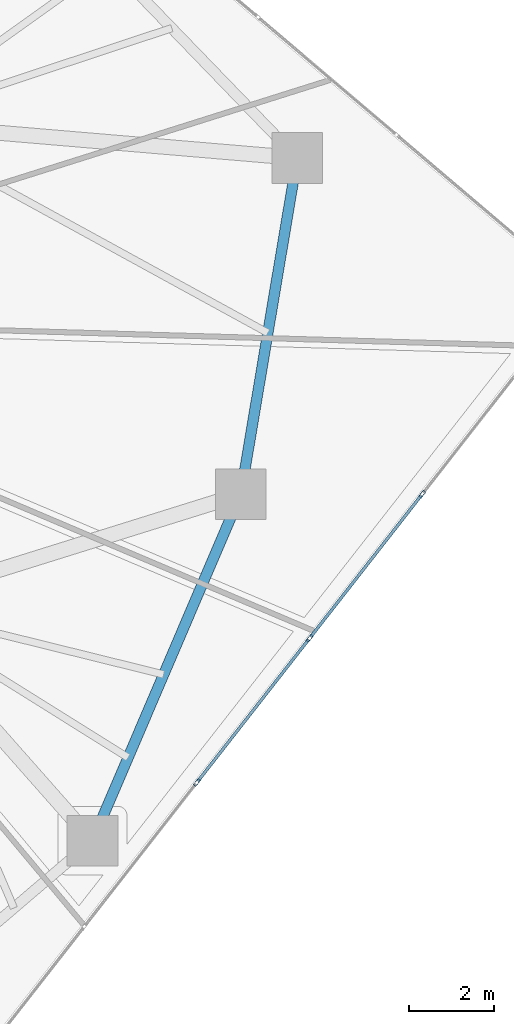
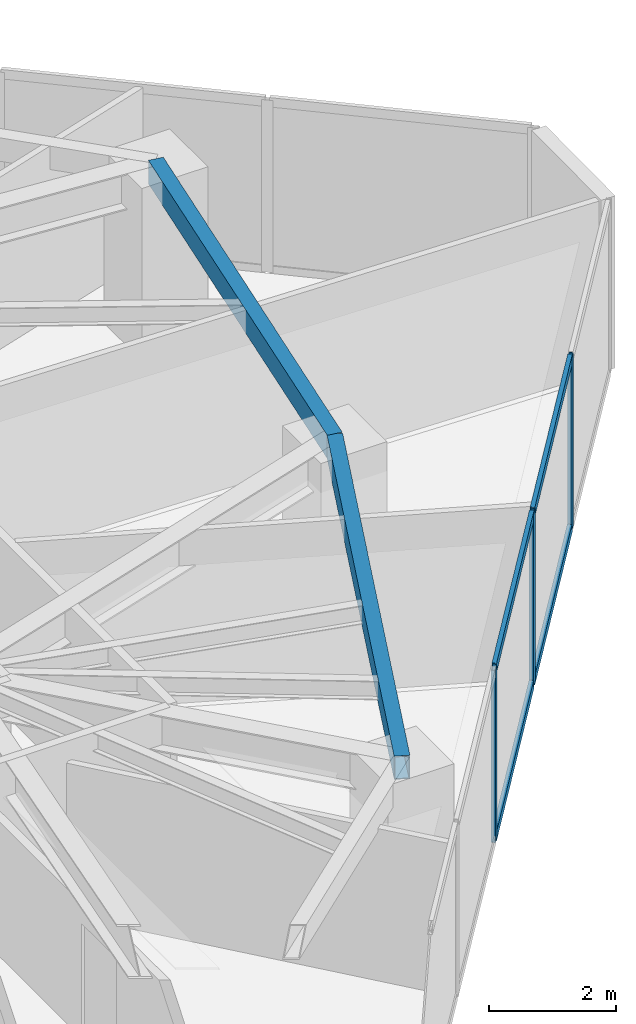
# One storey, part 12 of 24: 7 members, 2 beams, 1 element without a shape of its own.
"""IFC4 building model written with IfcOpenShell, lengths in metres."""

from ifc_helpers import new_model, si_unit, direction, frame, origin, origin_2d, place, context, subcontext, project, spatial, hollow_rectangle, extrude, source, transform, mapped, material, layer, layer_set, material_profile, profile_set, type_object, type_shapes, element, aggregate, save


model = new_model("IFC4")

# Units and contexts
model_context = context("Model", 3, precision=1e-05, world=origin(), true_north=direction((0.0, 1.0)))
body_context = subcontext(model_context, "Body", "Model", "MODEL_VIEW")
ifc_project = project(units=[si_unit("LENGTHUNIT", "METRE"), si_unit("AREAUNIT", "SQUARE_METRE"), si_unit("VOLUMEUNIT", "CUBIC_METRE"), si_unit("PLANEANGLEUNIT", "RADIAN"), si_unit("MASSUNIT", "GRAM", prefix="KILO")], contexts=[model_context])

# Site, building, storey
site_placement = place(None, origin())
site = spatial("IfcSite", under=ifc_project, at=site_placement, CompositionType="ELEMENT")
building_placement = place(site_placement, origin())
building = spatial("IfcBuilding", under=site, at=building_placement, Name="Talar Marvaseh", CompositionType="ELEMENT")
storey_placement = place(building_placement, frame((0.0, 0.0, 114.60009765625)))
storey = spatial("IfcBuildingStorey", under=building, at=storey_placement, Name="L29", CompositionType="ELEMENT", Elevation=114.60009765625)

# Beams
ifc_material_1 = material(Name="Steel S355", Category="steel")
ifc_material_profile_1 = material_profile(ifc_material_1, hollow_rectangle(XDim=0.25, YDim=0.449951171875, WallThickness=0.01611328125, at=origin_2d()), Name="RHS450x250x16")
ifc_profile_set_1 = profile_set([ifc_material_profile_1], Name="Steel S355")
beam_type = type_object("IfcBeamType", Name="Zone 2 Perimeter Spandrel Beam RHS450x250x16", PredefinedType="SPANDREL", material=ifc_profile_set_1)
beam_1_placement = place(storey_placement, frame((43.0439453125, 36.075927734375, 3.0849609375), z_axis=(-0.165641685249, -0.986186002795, 0.0), x_axis=(0.986186002795, -0.165641685249, 0.0)))
element("IfcBeam", 1, at=beam_1_placement, inside=storey, type_object=beam_type, Name="L29 Zone 2 Perimeter Spandrel Beam RHS450x250x16", PredefinedType="SPANDREL", context=body_context, shape_type="SweptSolid", body=[
    extrude(hollow_rectangle(XDim=0.25, YDim=0.449951171875, WallThickness=0.01611328125, at=origin_2d()), origin(), (0.0, 0.0, 1.0), 8.059326171875),
])
beam_2_placement = place(storey_placement, frame((41.708984375, 28.1279296875, 3.0849609375), z_axis=(-0.393369955619, -0.919380268451, 0.0), x_axis=(0.919380268451, -0.393369955619, 0.0)))
element("IfcBeam", 2, at=beam_2_placement, inside=storey, type_object=beam_type, Name="L29 Zone 2 Perimeter Spandrel Beam RHS450x250x16", PredefinedType="SPANDREL", context=body_context, shape_type="SweptSolid", body=[
    extrude(hollow_rectangle(XDim=0.25, YDim=0.449951171875, WallThickness=0.01611328125, at=origin_2d()), origin(), (0.0, 0.0, 1.0), 8.905029296875),
])

# Curtain wall, members
ifc_material_2 = material(Name="Architectural Aluminium", Category="aluminium")
ifc_layer = layer(ifc_material_2, 0.199951171875)
ifc_layer_set = layer_set([ifc_layer], Name="Architectural Aluminium")
curtain_wall_type = type_object("IfcCurtainWallType", Name="Unitised Acoustic Library Curtain Wall Z2", PredefinedType="NOTDEFINED", material=ifc_layer_set)
curtain_wall_placement = place(storey_placement, origin())
curtain_wall = element("IfcCurtainWall", 3, at=curtain_wall_placement, inside=storey, type_object=curtain_wall_type, Name="L29 Unitised Acoustic Library Curtain Wall Z2", PredefinedType="NOTDEFINED")
ifc_material_profile_2 = material_profile(ifc_material_2, hollow_rectangle(XDim=0.074951171875, YDim=0.179931640625, WallThickness=0.0048828125, at=origin_2d()), Name="RHS180x75x5")
ifc_profile_set_2 = profile_set([ifc_material_profile_2], Name="Architectural Aluminium")
member_type_1 = type_object("IfcMemberType", Name="Unitised Curtain Wall Transom RHS180x75x5", PredefinedType="USERDEFINED", material=ifc_profile_set_2)
shared_shape_1 = source(origin(), body_context, "Body", "SweptSolid", [
    extrude(hollow_rectangle(XDim=0.074951171875, YDim=0.179931640625, WallThickness=0.0048828125, at=origin_2d()), origin(), (0.0, 0.0, 1.0), 4.24853515625),
])
member_1_placement = place(storey_placement, frame((43.312744140625, 24.69775390625, 0.037353515625), z_axis=(-0.61579680622, -0.787905002807, 0.0), x_axis=(0.787905002807, -0.61579680622, 0.0)))
member_1 = element("IfcMember", 4, at=member_1_placement, type_object=member_type_1, Name="CW-Z2 transom 3.1", ObjectType="TRANSOM", PredefinedType="USERDEFINED", context=body_context, shape_type="MappedRepresentation", body=[
    mapped(shared_shape_1, transform((0.0, 0.0, 0.0), x_axis=(1.0, 0.0, 0.0), y_axis=(0.0, 1.0, 0.0), z_axis=(0.0, 0.0, 1.0), scale=1.0)),
])
member_2_placement = place(storey_placement, frame((43.312744140625, 24.69775390625, 3.2724609375), z_axis=(-0.61579680622, -0.787905002807, 0.0), x_axis=(0.787905002807, -0.61579680622, 0.0)))
member_2 = element("IfcMember", 5, at=member_2_placement, type_object=member_type_1, Name="CW-Z2 transom 3.2", ObjectType="TRANSOM", PredefinedType="USERDEFINED", context=body_context, shape_type="MappedRepresentation", body=[
    mapped(shared_shape_1, transform((0.0, 0.0, 0.0), x_axis=(1.0, 0.0, 0.0), y_axis=(0.0, 1.0, 0.0), z_axis=(0.0, 0.0, 1.0), scale=1.0)),
])
shared_shape_2 = source(origin(), body_context, "Body", "SweptSolid", [
    extrude(hollow_rectangle(XDim=0.074951171875, YDim=0.179931640625, WallThickness=0.0048828125, at=origin_2d()), origin(), (0.0, 0.0, 1.0), 4.248779296875),
])
type_shapes(member_type_1, [shared_shape_1, shared_shape_2])
member_3_placement = place(storey_placement, frame((45.97509765625, 28.1044921875, 0.037353515625), z_axis=(-0.615768925605, -0.78792679245, 0.0), x_axis=(0.78792679245, -0.615768925605, 0.0)))
member_3 = element("IfcMember", 6, at=member_3_placement, type_object=member_type_1, Name="CW-Z2 transom 2.1", ObjectType="TRANSOM", PredefinedType="USERDEFINED", context=body_context, shape_type="MappedRepresentation", body=[
    mapped(shared_shape_2, transform((0.0, 0.0, 0.0), x_axis=(1.0, 0.0, 0.0), y_axis=(0.0, 1.0, 0.0), z_axis=(0.0, 0.0, 1.0), scale=1.0)),
])
member_4_placement = place(storey_placement, frame((45.97509765625, 28.1044921875, 3.2724609375), z_axis=(-0.615768925605, -0.78792679245, 0.0), x_axis=(0.78792679245, -0.615768925605, 0.0)))
member_4 = element("IfcMember", 7, at=member_4_placement, type_object=member_type_1, Name="CW-Z2 transom 2.2", ObjectType="TRANSOM", PredefinedType="USERDEFINED", context=body_context, shape_type="MappedRepresentation", body=[
    mapped(shared_shape_2, transform((0.0, 0.0, 0.0), x_axis=(1.0, 0.0, 0.0), y_axis=(0.0, 1.0, 0.0), z_axis=(0.0, 0.0, 1.0), scale=1.0)),
])
ifc_material_profile_3 = material_profile(ifc_material_2, hollow_rectangle(XDim=0.074951171875, YDim=0.179931640625, WallThickness=0.0048828125, at=origin_2d()), Name="RHS180x75x5")
ifc_profile_set_3 = profile_set([ifc_material_profile_3], Name="Architectural Aluminium")
member_type_2 = type_object("IfcMemberType", Name="Unitised Curtain Wall Standard Mullion RHS180x75x5", PredefinedType="MULLION", material=ifc_profile_set_3)
shared_shape_3 = source(origin(), body_context, "Body", "SweptSolid", [
    extrude(hollow_rectangle(XDim=0.074951171875, YDim=0.179931640625, WallThickness=0.0048828125, at=origin_2d()), origin(), (0.0, 0.0, 1.0), 3.309814453125),
])
type_shapes(member_type_2, [shared_shape_3])
member_5_placement = place(storey_placement, frame((45.998291015625, 28.134033203125, 0.0), z_axis=(0.0, 0.0, 1.0), x_axis=(0.787915588134, -0.615783262175, 0.0)))
member_5 = element("IfcMember", 8, at=member_5_placement, type_object=member_type_2, Name="CW-Z2 mullion 2", PredefinedType="MULLION", context=body_context, shape_type="MappedRepresentation", body=[
    mapped(shared_shape_3, transform((0.0, 0.0, 0.0), x_axis=(1.0, 0.0, 0.0), y_axis=(0.0, 1.0, 0.0), z_axis=(0.0, 0.0, 1.0), scale=1.0)),
])
member_6_placement = place(storey_placement, frame((43.3359375, 24.727294921875, 0.0), z_axis=(0.0, 0.0, 1.0), x_axis=(0.787915588134, -0.615783262175, 0.0)))
member_6 = element("IfcMember", 9, at=member_6_placement, type_object=member_type_2, Name="CW-Z2 mullion 3", PredefinedType="MULLION", context=body_context, shape_type="MappedRepresentation", body=[
    mapped(shared_shape_3, transform((0.0, 0.0, 0.0), x_axis=(1.0, 0.0, 0.0), y_axis=(0.0, 1.0, 0.0), z_axis=(0.0, 0.0, 1.0), scale=1.0)),
])
member_7_placement = place(storey_placement, frame((40.673583984375, 21.32080078125, 0.0), z_axis=(0.0, 0.0, 1.0), x_axis=(0.787915588134, -0.615783262175, 0.0)))
member_7 = element("IfcMember", 10, at=member_7_placement, type_object=member_type_2, Name="CW-Z2 mullion 4", PredefinedType="MULLION", context=body_context, shape_type="MappedRepresentation", body=[
    mapped(shared_shape_3, transform((0.0, 0.0, 0.0), x_axis=(1.0, 0.0, 0.0), y_axis=(0.0, 1.0, 0.0), z_axis=(0.0, 0.0, 1.0), scale=1.0)),
])
aggregate(curtain_wall, [member_5, member_6, member_7, member_3, member_4, member_1, member_2])

save(model, "model.ifc")
